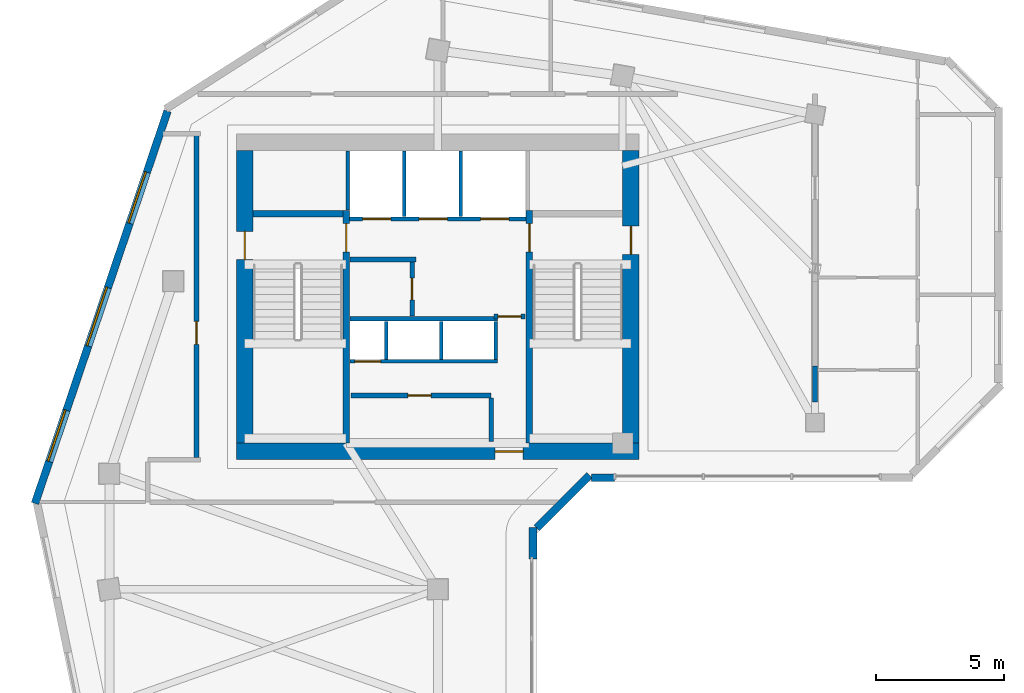
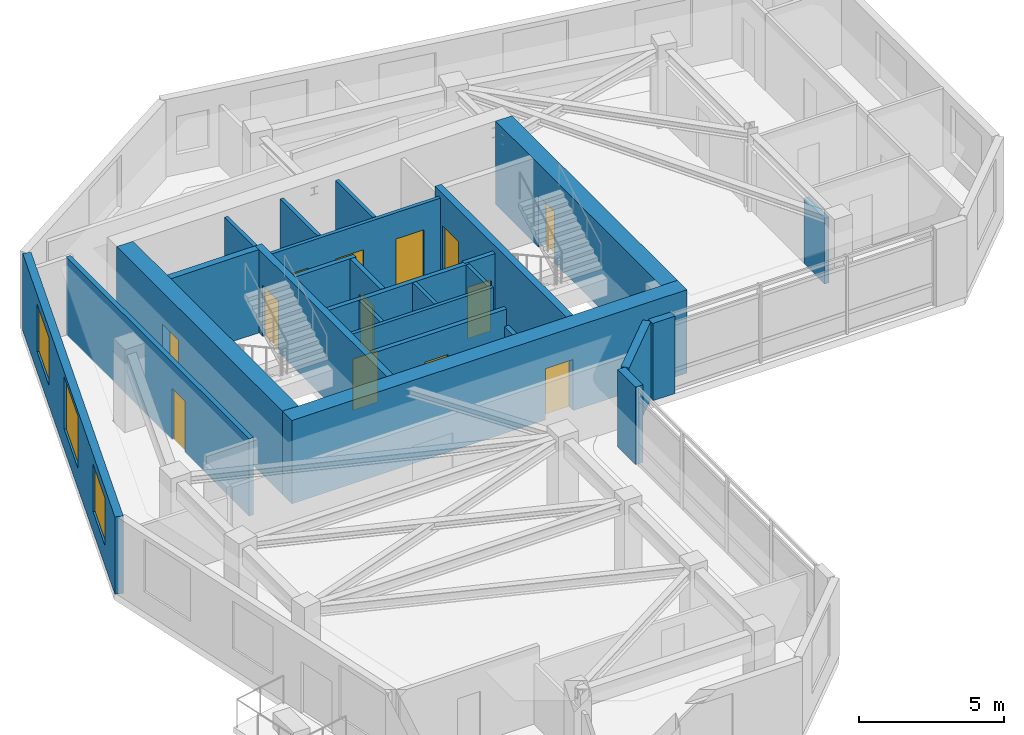
# One storey, part 4 of 9: 26 walls, 13 doors, 3 windows, 16 openings.
"""IFC4 building model written with IfcOpenShell, lengths in metres."""

from ifc_helpers import new_model, si_unit, direction, frame, frame_2d, origin, place, context, subcontext, project, spatial, rectangle, extrude, source, transform, mapped, material, layer, layer_set, type_object, element, fill, save


model = new_model("IFC4")

# Units and contexts
model_context = context("Model", 3, precision=1e-05, world=origin(), true_north=direction((0.0, 1.0)))
body_context = subcontext(model_context, "Body", "Model", "MODEL_VIEW")
ifc_project = project(units=[si_unit("LENGTHUNIT", "METRE"), si_unit("AREAUNIT", "SQUARE_METRE"), si_unit("VOLUMEUNIT", "CUBIC_METRE"), si_unit("PLANEANGLEUNIT", "RADIAN"), si_unit("MASSUNIT", "GRAM", prefix="KILO")], contexts=[model_context])

# Site, building, storey
site_placement = place(None, origin())
site = spatial("IfcSite", under=ifc_project, at=site_placement, CompositionType="ELEMENT")
building_placement = place(site_placement, origin())
building = spatial("IfcBuilding", under=site, at=building_placement, Name="Calvemar Wedge Station Tower", CompositionType="ELEMENT")
storey_placement = place(building_placement, frame((0.0, 0.0, 211.39990234375)))
storey = spatial("IfcBuildingStorey", under=building, at=storey_placement, Name="L53", CompositionType="ELEMENT", Elevation=211.39990234375)

# Wall, opening, door
ifc_material_1 = material(Name="Concrete C50", Category="concrete")
ifc_layer_1 = layer(ifc_material_1, 0.260009765625)
ifc_layer_set_1 = layer_set([ifc_layer_1], Name="Concrete C50")
wall_type_1 = type_object("IfcWallType", Name="SW-CORE-260", PredefinedType="SHEAR", material=ifc_layer_set_1)
wall_1_placement = place(storey_placement, frame((20.22998046875, 34.199951171875, 0.0), z_axis=(0.0, 0.0, 1.0), x_axis=(0.0, 1.0, 0.0)))
wall_1 = element("IfcWall", 1, at=wall_1_placement, inside=storey, type_object=wall_type_1, Name="Storey L53 Core Shear Wall SPINE-W", PredefinedType="SHEAR", context=body_context, shape_type="SweptSolid", body=[
    extrude(rectangle(XDim=9.06005859375, YDim=0.260009765625, at=frame_2d((4.530029296875, 0.0))), origin(), (0.0, 0.0, 1.0), 3.5),
])
shared_shape_1 = source(origin(), body_context, "Body", "SweptSolid", [
    extrude(rectangle(XDim=1.10009765625, YDim=2.14990234375, at=frame_2d((0.550048828125, 1.074951171875))), frame((0.0, 0.14013671875, 0.0), z_axis=(0.0, -1.0, 0.0), x_axis=(1.0, 0.0, 0.0)), (0.0, 0.0, 1.0), 0.280029296875),
])
opening_1_placement = place(wall_1_placement, frame((7.449951171875, 0.0, 0.0)))
opening_1 = element("IfcOpeningElement", 2, at=opening_1_placement, cuts=wall_1, Name="Opening FD-90", PredefinedType="OPENING", context=body_context, shape_type="MappedRepresentation", body=[
    mapped(shared_shape_1, transform((0.0, 0.0, 0.0), scale=1.0)),
])
ifc_material_2 = material(Name="Galvanized fire-rated steel door leaf P-90", Category="steel")
door_type_1 = type_object("IfcDoorType", Name="DR-FD90-1100", OperationType="NOTDEFINED", PredefinedType="DOOR", material=ifc_material_2)
shared_shape_2 = source(origin(), body_context, "Body", "SweptSolid", [
    extrude(rectangle(XDim=1.10009765625, YDim=2.14990234375, at=frame_2d((0.550048828125, 1.074951171875))), frame((0.0, 0.02490234375, 0.0), z_axis=(0.0, -1.0, 0.0), x_axis=(1.0, 0.0, 0.0)), (0.0, 0.0, 1.0), 0.050048828125),
])
door_1_placement = place(opening_1_placement, origin())
door_1 = element("IfcDoor", 3, at=door_1_placement, inside=storey, type_object=door_type_1, Name="L53 FF Lobby to Stair ST-C1 Door", OperationType="SINGLE_SWING_LEFT", OverallHeight=2.14990234375, OverallWidth=1.10009765625, PredefinedType="DOOR", context=body_context, shape_type="MappedRepresentation", body=[
    mapped(shared_shape_2, transform((0.0, 0.0, 0.0), scale=1.0)),
])
fill(opening_1, door_1)

wall_2_placement = place(storey_placement, frame((27.3701171875, 34.199951171875, 0.0), z_axis=(0.0, 0.0, 1.0), x_axis=(0.0, 1.0, 0.0)))
wall_2 = element("IfcWall", 4, at=wall_2_placement, inside=storey, type_object=wall_type_1, Name="Storey L53 Core Shear Wall SPINE-E", PredefinedType="SHEAR", context=body_context, shape_type="SweptSolid", body=[
    extrude(rectangle(XDim=9.06005859375, YDim=0.260009765625, at=frame_2d((4.530029296875, 0.0))), origin(), (0.0, 0.0, 1.0), 3.5),
])
opening_2_placement = place(wall_2_placement, frame((7.449951171875, 0.0, 0.0)))
opening_2 = element("IfcOpeningElement", 5, at=opening_2_placement, cuts=wall_2, Name="Opening FD-90", PredefinedType="OPENING", context=body_context, shape_type="MappedRepresentation", body=[
    mapped(shared_shape_1, transform((0.0, 0.0, 0.0), scale=1.0)),
])
door_2_placement = place(opening_2_placement, origin())
door_2 = element("IfcDoor", 6, at=door_2_placement, inside=storey, type_object=door_type_1, Name="L53 FF Lobby to Stair ST-C2 Door", OperationType="SINGLE_SWING_RIGHT", OverallHeight=2.14990234375, OverallWidth=1.10009765625, PredefinedType="DOOR", context=body_context, shape_type="MappedRepresentation", body=[
    mapped(shared_shape_2, transform((0.0, 0.0, 0.0), scale=1.0)),
])
fill(opening_2, door_2)

# Wall
wall_3_placement = place(storey_placement, frame((16.60009765625, 43.1298828125, 0.0), z_axis=(0.0, 0.0, 1.0), x_axis=(1.0, 0.0, 0.0)))
element("IfcWall", 7, at=wall_3_placement, inside=storey, type_object=wall_type_1, Name="Storey L53 Core Shear Wall STC1-N", PredefinedType="SHEAR", context=body_context, shape_type="SweptSolid", body=[
    extrude(rectangle(XDim=3.5, YDim=0.260009765625, at=frame_2d((1.75, 0.0))), origin(), (0.0, 0.0, 1.0), 3.5),
])

# Wall, opening, door
ifc_material_3 = material(Name="Concrete C60", Category="concrete")
ifc_layer_2 = layer(ifc_material_3, 0.64990234375)
ifc_layer_set_2 = layer_set([ifc_layer_2], Name="Concrete C60")
wall_type_2 = type_object("IfcWallType", Name="SW-CORE-650", PredefinedType="SHEAR", material=ifc_layer_set_2)
wall_4_placement = place(storey_placement, frame((15.949951171875, 33.875, 0.0), z_axis=(0.0, 0.0, 1.0), x_axis=(1.0, 0.0, 0.0)))
wall_4 = element("IfcWall", 8, at=wall_4_placement, inside=storey, type_object=wall_type_2, Name="Storey L53 Core Shear Wall S", PredefinedType="SHEAR", context=body_context, shape_type="SweptSolid", body=[
    extrude(rectangle(XDim=15.699951171875, YDim=0.64990234375, at=frame_2d((7.85009765625, 0.0))), origin(), (0.0, 0.0, 1.0), 3.5),
])
shared_shape_3 = source(origin(), body_context, "Body", "SweptSolid", [
    extrude(rectangle(XDim=1.10009765625, YDim=2.14990234375, at=frame_2d((0.550048828125, 1.074951171875))), frame((0.0, 0.3349609375, 0.0), z_axis=(0.0, -1.0, 0.0), x_axis=(1.0, 0.0, 0.0)), (0.0, 0.0, 1.0), 0.669921875),
])
opening_3_placement = place(wall_4_placement, frame((10.080078125, 0.0, 0.0)))
opening_3 = element("IfcOpeningElement", 9, at=opening_3_placement, cuts=wall_4, Name="Opening FD-90", PredefinedType="OPENING", context=body_context, shape_type="MappedRepresentation", body=[
    mapped(shared_shape_3, transform((0.0, 0.0, 0.0), scale=1.0)),
])
door_3_placement = place(opening_3_placement, origin())
door_3 = element("IfcDoor", 10, at=door_3_placement, inside=storey, type_object=door_type_1, Name="L53 Passenger Lift Lobby Door", OperationType="SINGLE_SWING_LEFT", OverallHeight=2.14990234375, OverallWidth=1.10009765625, PredefinedType="DOOR", context=body_context, shape_type="MappedRepresentation", body=[
    mapped(shared_shape_2, transform((0.0, 0.0, 0.0), scale=1.0)),
])
fill(opening_3, door_3)

wall_5_placement = place(storey_placement, frame((16.27490234375, 34.199951171875, 0.0), z_axis=(0.0, 0.0, 1.0), x_axis=(0.0, 1.0, 0.0)))
wall_5 = element("IfcWall", 11, at=wall_5_placement, inside=storey, type_object=wall_type_2, Name="Storey L53 Core Shear Wall W", PredefinedType="SHEAR", context=body_context, shape_type="SweptSolid", body=[
    extrude(rectangle(XDim=11.400146484375, YDim=0.64990234375, at=frame_2d((5.7001953125, 0.0))), origin(), (0.0, 0.0, 1.0), 3.5),
])
opening_4_placement = place(wall_5_placement, frame((7.14990234375, 0.0, 0.0)))
opening_4 = element("IfcOpeningElement", 12, at=opening_4_placement, cuts=wall_5, Name="Opening FD-90", PredefinedType="OPENING", context=body_context, shape_type="MappedRepresentation", body=[
    mapped(shared_shape_3, transform((0.0, 0.0, 0.0), scale=1.0)),
])
door_4_placement = place(opening_4_placement, origin())
door_4 = element("IfcDoor", 13, at=door_4_placement, inside=storey, type_object=door_type_1, Name="L53 West Corridor to Exit Stair ST-C1 Door", OperationType="SINGLE_SWING_LEFT", OverallHeight=2.14990234375, OverallWidth=1.10009765625, PredefinedType="DOOR", context=body_context, shape_type="MappedRepresentation", body=[
    mapped(shared_shape_2, transform((0.0, 0.0, 0.0), scale=1.0)),
])
fill(opening_4, door_4)

wall_6_placement = place(storey_placement, frame((31.324951171875, 34.199951171875, 0.0), z_axis=(0.0, 0.0, 1.0), x_axis=(0.0, 1.0, 0.0)))
wall_6 = element("IfcWall", 14, at=wall_6_placement, inside=storey, type_object=wall_type_2, Name="Storey L53 Core Shear Wall E", PredefinedType="SHEAR", context=body_context, shape_type="SweptSolid", body=[
    extrude(rectangle(XDim=11.400146484375, YDim=0.64990234375, at=frame_2d((5.7001953125, 0.0))), origin(), (0.0, 0.0, 1.0), 3.5),
])
opening_5_placement = place(wall_6_placement, frame((7.35009765625, 0.0, 0.0)))
opening_5 = element("IfcOpeningElement", 15, at=opening_5_placement, cuts=wall_6, Name="Opening FD-90", PredefinedType="OPENING", context=body_context, shape_type="MappedRepresentation", body=[
    mapped(shared_shape_3, transform((0.0, 0.0, 0.0), scale=1.0)),
])
door_5_placement = place(opening_5_placement, origin())
door_5 = element("IfcDoor", 16, at=door_5_placement, inside=storey, type_object=door_type_1, Name="L53 East Corridor to Exit Stair ST-C2 Door", OperationType="SINGLE_SWING_RIGHT", OverallHeight=2.14990234375, OverallWidth=1.10009765625, PredefinedType="DOOR", context=body_context, shape_type="MappedRepresentation", body=[
    mapped(shared_shape_2, transform((0.0, 0.0, 0.0), scale=1.0)),
])
fill(opening_5, door_5)

# Wall
ifc_material_4 = material(Name="Double-stud fire-rated corridor partition")
ifc_layer_3 = layer(ifc_material_4, 0.179931640625)
ifc_layer_set_3 = layer_set([ifc_layer_3], Name="Double-stud fire-rated corridor partition")
wall_type_3 = type_object("IfcWallType", Name="W-CORR-180", PredefinedType="PARTITIONING", material=ifc_layer_set_3)
wall_7_placement = place(storey_placement, frame((22.9599609375, 41.35009765625, 0.0), z_axis=(0.0, 0.0, 1.0), x_axis=(-1.0, 0.0, 0.0)))
element("IfcWall", 17, at=wall_7_placement, inside=storey, type_object=wall_type_3, Name="Storey L53 Interior Partition WL-L53-001", PredefinedType="PARTITIONING", context=body_context, shape_type="SweptSolid", body=[
    extrude(rectangle(XDim=2.580078125, YDim=0.179931640625, at=frame_2d((1.2900390625, 0.0))), origin(), (0.0, 0.0, 1.0), 3.25),
])

# Wall, opening, door
wall_8_placement = place(storey_placement, frame((22.800048828125, 41.256103515625, 0.0), z_axis=(0.0, 0.0, 1.0), x_axis=(0.0, -1.0, 0.0)))
wall_8 = element("IfcWall", 18, at=wall_8_placement, inside=storey, type_object=wall_type_3, Name="Storey L53 Interior Partition WL-L53-002", PredefinedType="PARTITIONING", context=body_context, shape_type="SweptSolid", body=[
    extrude(rectangle(XDim=2.106201171875, YDim=0.179931640625, at=frame_2d((1.05322265625, 0.0))), origin(), (0.0, 0.0, 1.0), 3.25),
])
shared_shape_4 = source(origin(), body_context, "Body", "SweptSolid", [
    extrude(rectangle(XDim=0.85009765625, YDim=2.14990234375, at=frame_2d((0.425048828125, 1.074951171875))), frame((0.0, 0.10009765625, 0.0), z_axis=(0.0, -1.0, 0.0), x_axis=(1.0, 0.0, 0.0)), (0.0, 0.0, 1.0), 0.199951171875),
])
opening_6_placement = place(wall_8_placement, frame((0.6279296875, 0.0, 0.0)))
opening_6 = element("IfcOpeningElement", 19, at=opening_6_placement, cuts=wall_8, Name="Opening FD-60S", PredefinedType="OPENING", context=body_context, shape_type="MappedRepresentation", body=[
    mapped(shared_shape_4, transform((0.0, 0.0, 0.0), scale=1.0)),
])
ifc_material_5 = material(Name="Fire-rated steel and hardwood service door EI 60", Category="steel")
door_type_2 = type_object("IfcDoorType", Name="DR-CORE-FD60-850", OperationType="NOTDEFINED", PredefinedType="DOOR", material=ifc_material_5)
shared_shape_5 = source(origin(), body_context, "Body", "SweptSolid", [
    extrude(rectangle(XDim=0.85009765625, YDim=2.14990234375, at=frame_2d((0.425048828125, 1.074951171875))), frame((0.0, 0.02490234375, 0.0), z_axis=(0.0, -1.0, 0.0), x_axis=(1.0, 0.0, 0.0)), (0.0, 0.0, 1.0), 0.050048828125),
])
door_6_placement = place(opening_6_placement, origin())
door_6 = element("IfcDoor", 20, at=door_6_placement, inside=storey, type_object=door_type_2, Name="L53 Core Electrical Switch Room Door", OperationType="SINGLE_SWING_RIGHT", OverallHeight=2.14990234375, OverallWidth=0.85009765625, PredefinedType="DOOR", context=body_context, shape_type="MappedRepresentation", body=[
    mapped(shared_shape_5, transform((0.0, 0.0, 0.0), scale=1.0)),
])
fill(opening_6, door_6)

wall_9_placement = place(storey_placement, frame((27.199951171875, 39.1298828125, 0.0), z_axis=(0.0, 0.0, 1.0), x_axis=(-1.0, 0.0, 0.0)))
wall_9 = element("IfcWall", 21, at=wall_9_placement, inside=storey, type_object=wall_type_3, Name="Storey L53 Interior Partition WL-L53-003", PredefinedType="PARTITIONING", context=body_context, shape_type="SweptSolid", body=[
    extrude(rectangle(XDim=1.2099609375, YDim=0.179931640625, at=frame_2d((0.60498046875, 0.0))), origin(), (0.0, 0.0, 1.0), 3.25),
])
shared_shape_6 = source(origin(), body_context, "Body", "SweptSolid", [
    extrude(rectangle(XDim=0.89990234375, YDim=2.14990234375, at=frame_2d((0.449951171875, 1.074951171875))), frame((0.0, 0.10009765625, 0.0), z_axis=(0.0, -1.0, 0.0), x_axis=(1.0, 0.0, 0.0)), (0.0, 0.0, 1.0), 0.199951171875),
])
opening_7_placement = place(wall_9_placement, frame((0.155029296875, 0.0, 0.0)))
opening_7 = element("IfcOpeningElement", 22, at=opening_7_placement, cuts=wall_9, Name="Opening FD-60", PredefinedType="OPENING", context=body_context, shape_type="MappedRepresentation", body=[
    mapped(shared_shape_6, transform((0.0, 0.0, 0.0), scale=1.0)),
])
ifc_material_6 = material(Name="Fire-rated acoustic timber-core entrance door EI 60", Category="wood")
door_type_3 = type_object("IfcDoorType", Name="DR-FD60-900", OperationType="NOTDEFINED", PredefinedType="DOOR", material=ifc_material_6)
shared_shape_7 = source(origin(), body_context, "Body", "SweptSolid", [
    extrude(rectangle(XDim=0.89990234375, YDim=2.14990234375, at=frame_2d((0.449951171875, 1.074951171875))), frame((0.0, 0.02490234375, 0.0), z_axis=(0.0, -1.0, 0.0), x_axis=(1.0, 0.0, 0.0)), (0.0, 0.0, 1.0), 0.050048828125),
])
door_7_placement = place(opening_7_placement, origin())
door_7 = element("IfcDoor", 23, at=door_7_placement, inside=storey, type_object=door_type_3, Name="L53 Core Service Lobby Door", OperationType="SINGLE_SWING_LEFT", OverallHeight=2.14990234375, OverallWidth=0.89990234375, PredefinedType="DOOR", context=body_context, shape_type="MappedRepresentation", body=[
    mapped(shared_shape_7, transform((0.0, 0.0, 0.0), scale=1.0)),
])
fill(opening_7, door_7)

wall_10_placement = place(storey_placement, frame((20.419921875, 36.050048828125, 0.0), z_axis=(0.0, 0.0, 1.0), x_axis=(1.0, 0.0, 0.0)))
wall_10 = element("IfcWall", 24, at=wall_10_placement, inside=storey, type_object=wall_type_3, Name="Storey L53 Interior Partition WL-L53-004", PredefinedType="PARTITIONING", context=body_context, shape_type="SweptSolid", body=[
    extrude(rectangle(XDim=5.4599609375, YDim=0.179931640625, at=frame_2d((2.72998046875, 0.0))), origin(), (0.0, 0.0, 1.0), 3.25),
])
opening_8_placement = place(wall_10_placement, frame((2.219482421875, 0.0, 0.0)))
opening_8 = element("IfcOpeningElement", 25, at=opening_8_placement, cuts=wall_10, Name="Opening FD-60", PredefinedType="OPENING", context=body_context, shape_type="MappedRepresentation", body=[
    mapped(shared_shape_6, transform((0.0, 0.0, 0.0), scale=1.0)),
])
door_8_placement = place(opening_8_placement, origin())
door_8 = element("IfcDoor", 26, at=door_8_placement, inside=storey, type_object=door_type_3, Name="L53 Parcel and Resident Store Door", OperationType="SINGLE_SWING_RIGHT", OverallHeight=2.14990234375, OverallWidth=0.89990234375, PredefinedType="DOOR", context=body_context, shape_type="MappedRepresentation", body=[
    mapped(shared_shape_7, transform((0.0, 0.0, 0.0), scale=1.0)),
])
fill(opening_8, door_8)

# Wall
wall_11_placement = place(storey_placement, frame((25.8798828125, 35.9560546875, 0.0), z_axis=(0.0, 0.0, 1.0), x_axis=(0.0, -1.0, 0.0)))
element("IfcWall", 27, at=wall_11_placement, inside=storey, type_object=wall_type_3, Name="Storey L53 Interior Partition WL-L53-005", PredefinedType="PARTITIONING", context=body_context, shape_type="SweptSolid", body=[
    extrude(rectangle(XDim=1.7060546875, YDim=0.179931640625, at=frame_2d((0.85302734375, 0.0))), origin(), (0.0, 0.0, 1.0), 2.5419921875),
])

# Wall, opening, door
wall_12_placement = place(storey_placement, frame((14.39990234375, 33.64404296875, 0.0), z_axis=(0.0, 0.0, 1.0), x_axis=(0.0, 1.0, 0.0)))
wall_12 = element("IfcWall", 28, at=wall_12_placement, inside=storey, type_object=wall_type_3, Name="Storey L53 Interior Partition WL-L53-009", PredefinedType="PARTITIONING", context=body_context, shape_type="SweptSolid", body=[
    extrude(rectangle(XDim=12.60595703125, YDim=0.179931640625, at=frame_2d((6.302978515625, 0.0))), origin(), (0.0, 0.0, 1.0), 3.25),
])
opening_9_placement = place(wall_12_placement, frame((4.399169921875, 0.0, 0.0)))
opening_9 = element("IfcOpeningElement", 29, at=opening_9_placement, cuts=wall_12, Name="Opening D-01", PredefinedType="OPENING", context=body_context, shape_type="MappedRepresentation", body=[
    mapped(shared_shape_6, transform((0.0, 0.0, 0.0), scale=1.0)),
])
ifc_material_7 = material(Name="Architectural hardwood acoustic swing door", Category="wood")
door_type_4 = type_object("IfcDoorType", Name="DR-INT-900", OperationType="NOTDEFINED", PredefinedType="DOOR", material=ifc_material_7)
shared_shape_8 = source(origin(), body_context, "Body", "SweptSolid", [
    extrude(rectangle(XDim=0.89990234375, YDim=2.14990234375, at=frame_2d((0.449951171875, 1.074951171875))), frame((0.0, 0.02490234375, 0.0), z_axis=(0.0, -1.0, 0.0), x_axis=(1.0, 0.0, 0.0)), (0.0, 0.0, 1.0), 0.050048828125),
])
door_9_placement = place(opening_9_placement, origin())
door_9 = element("IfcDoor", 30, at=door_9_placement, inside=storey, type_object=door_type_4, Name="L53 Resident Reading Lounge Door", OperationType="SINGLE_SWING_LEFT", OverallHeight=2.14990234375, OverallWidth=0.89990234375, PredefinedType="DOOR", context=body_context, shape_type="MappedRepresentation", body=[
    mapped(shared_shape_8, transform((0.0, 0.0, 0.0), scale=1.0)),
])
fill(opening_9, door_9)

# Walls
wall_13_placement = place(storey_placement, frame((38.5, 37.208984375, 0.0), z_axis=(0.0, 0.0, 1.0), x_axis=(0.0, -1.0, 0.0)))
element("IfcWall", 31, at=wall_13_placement, inside=storey, type_object=wall_type_3, Name="Storey L53 Interior Partition WL-L53-017", PredefinedType="PARTITIONING", context=body_context, shape_type="SweptSolid", body=[
    extrude(rectangle(XDim=1.408935546875, YDim=0.179931640625, at=frame_2d((0.70458984375, 0.0))), origin(), (0.0, 0.0, 1.0), 2.76611328125),
])
ifc_material_8 = material(Name="Precast concrete C45", Category="concrete")
ifc_layer_4 = layer(ifc_material_8, 0.300048828125)
ifc_layer_set_4 = layer_set([ifc_layer_4], Name="Precast concrete C45")
wall_type_4 = type_object("IfcWallType", Name="W-EXT-GFRC-300", PredefinedType="SOLIDWALL", material=ifc_layer_set_4)
wall_14_placement = place(storey_placement, frame((27.513916015625, 29.676513671875, 0.0), z_axis=(0.0, 0.0, 1.0), x_axis=(0.0, 1.0, 0.0)))
element("IfcWall", 32, at=wall_14_placement, inside=storey, type_object=wall_type_4, Name="Storey L53 Bronze GFRC Corner Pier 4B", PredefinedType="SOLIDWALL", context=body_context, shape_type="SweptSolid", body=[
    extrude(rectangle(XDim=1.2275390625, YDim=0.300048828125, at=frame_2d((0.61376953125, 0.0))), origin(), (0.0, 0.0, 1.0), 3.25),
])
wall_15_placement = place(storey_placement, frame((27.652099609375, 30.89208984375, 0.0), z_axis=(0.0, 0.0, 1.0), x_axis=(0.707106781187, 0.707106781187, 0.0)))
element("IfcWall", 33, at=wall_15_placement, inside=storey, type_object=wall_type_4, Name="Storey L53 Bronze GFRC Exterior Wall 5", PredefinedType="SOLIDWALL", context=body_context, shape_type="SweptSolid", body=[
    extrude(rectangle(XDim=2.907470703125, YDim=0.300048828125, at=frame_2d((1.45361328125, 0.0))), origin(), (0.0, 0.0, 1.0), 3.25),
])
wall_16_placement = place(storey_placement, frame((29.797119140625, 32.842041015625, 0.0), z_axis=(0.0, 0.0, 1.0), x_axis=(1.0, 0.0, 0.0)))
element("IfcWall", 34, at=wall_16_placement, inside=storey, type_object=wall_type_4, Name="Storey L53 Bronze GFRC Corner Pier 6A", PredefinedType="SOLIDWALL", context=body_context, shape_type="SweptSolid", body=[
    extrude(rectangle(XDim=0.88232421875, YDim=0.300048828125, at=frame_2d((0.441162109375, 0.0))), origin(), (0.0, 0.0, 1.0), 3.25),
])

# Wall, openings, windows
wall_17_placement = place(storey_placement, frame((13.2685546875, 47.1337890625, 0.0), z_axis=(0.0, 0.0, 1.0), x_axis=(-0.319920776449, -0.947444297464, 0.0)))
wall_17 = element("IfcWall", 35, at=wall_17_placement, inside=storey, type_object=wall_type_4, Name="Storey L53 Bronze GFRC Exterior Wall 12", PredefinedType="SOLIDWALL", context=body_context, shape_type="SweptSolid", body=[
    extrude(rectangle(XDim=16.13330078125, YDim=0.300048828125, at=frame_2d((8.066650390625, 0.0))), origin(), (0.0, 0.0, 1.0), 3.25),
])
shared_shape_9 = source(origin(), body_context, "Body", "SweptSolid", [
    extrude(rectangle(XDim=2.10009765625, YDim=2.0, at=frame_2d((1.050048828125, 1.0))), frame((0.0, 0.16015625, 0.0), z_axis=(0.0, -1.0, 0.0), x_axis=(1.0, 0.0, 0.0)), (0.0, 0.0, 1.0), 0.320068359375),
])
opening_10_placement = place(wall_17_placement, frame((2.512939453125, 0.0, 0.85009765625)))
opening_10 = element("IfcOpeningElement", 36, at=opening_10_placement, cuts=wall_17, Name="Opening W4", PredefinedType="OPENING", context=body_context, shape_type="MappedRepresentation", body=[
    mapped(shared_shape_9, transform((0.0, 0.0, 0.0), scale=1.0)),
])
shared_shape_10 = source(origin(), body_context, "Body", "SweptSolid", [
    extrude(rectangle(XDim=2.39990234375, YDim=2.199951171875, at=frame_2d((1.199951171875, 1.10009765625))), frame((0.0, 0.16015625, 0.0), z_axis=(0.0, -1.0, 0.0), x_axis=(1.0, 0.0, 0.0)), (0.0, 0.0, 1.0), 0.320068359375),
])
opening_11_placement = place(wall_17_placement, frame((7.260009765625, 0.0, 0.85009765625)))
opening_11 = element("IfcOpeningElement", 37, at=opening_11_placement, cuts=wall_17, Name="Opening W1", PredefinedType="OPENING", context=body_context, shape_type="MappedRepresentation", body=[
    mapped(shared_shape_10, transform((0.0, 0.0, 0.0), scale=1.0)),
])
opening_12_placement = place(wall_17_placement, frame((12.306884765625, 0.0, 0.85009765625)))
opening_12 = element("IfcOpeningElement", 38, at=opening_12_placement, cuts=wall_17, Name="Opening W4", PredefinedType="OPENING", context=body_context, shape_type="MappedRepresentation", body=[
    mapped(shared_shape_9, transform((0.0, 0.0, 0.0), scale=1.0)),
])
ifc_material_9 = material(Name="Low-E laminated insulated glass", Category="glass")
window_type_1 = type_object("IfcWindowType", Name="WIN-EXT-4", PartitioningType="SINGLE_PANEL", PredefinedType="WINDOW", material=ifc_material_9)
shared_shape_11 = source(origin(), body_context, "Body", "SweptSolid", [
    extrude(rectangle(XDim=2.10009765625, YDim=2.0, at=frame_2d((1.050048828125, 1.0))), frame((0.0, -0.014892578125, 0.0), z_axis=(0.0, -1.0, 0.0), x_axis=(1.0, 0.0, 0.0)), (0.0, 0.0, 1.0), 0.06005859375),
])
window_1_placement = place(opening_10_placement, origin())
window_1 = element("IfcWindow", 39, at=window_1_placement, inside=storey, type_object=window_type_1, Name="Storey L53 Recessed Window 12.1", OverallHeight=2.0, OverallWidth=2.10009765625, PartitioningType="SINGLE_PANEL", PredefinedType="WINDOW", context=body_context, shape_type="MappedRepresentation", body=[
    mapped(shared_shape_11, transform((0.0, 0.0, 0.0), scale=1.0)),
])
fill(opening_10, window_1)
window_2_placement = place(opening_12_placement, origin())
window_2 = element("IfcWindow", 40, at=window_2_placement, inside=storey, type_object=window_type_1, Name="Storey L53 Recessed Window 12.3", OverallHeight=2.0, OverallWidth=2.10009765625, PartitioningType="SINGLE_PANEL", PredefinedType="WINDOW", context=body_context, shape_type="MappedRepresentation", body=[
    mapped(shared_shape_11, transform((0.0, 0.0, 0.0), scale=1.0)),
])
fill(opening_12, window_2)
window_type_2 = type_object("IfcWindowType", Name="WIN-EXT-1", PartitioningType="SINGLE_PANEL", PredefinedType="WINDOW", material=ifc_material_9)
shared_shape_12 = source(origin(), body_context, "Body", "SweptSolid", [
    extrude(rectangle(XDim=2.39990234375, YDim=2.199951171875, at=frame_2d((1.199951171875, 1.10009765625))), frame((0.0, -0.014892578125, 0.0), z_axis=(0.0, -1.0, 0.0), x_axis=(1.0, 0.0, 0.0)), (0.0, 0.0, 1.0), 0.06005859375),
])
window_3_placement = place(opening_11_placement, origin())
window_3 = element("IfcWindow", 41, at=window_3_placement, inside=storey, type_object=window_type_2, Name="Storey L53 Recessed Window 12.2", OverallHeight=2.199951171875, OverallWidth=2.39990234375, PartitioningType="SINGLE_PANEL", PredefinedType="WINDOW", context=body_context, shape_type="MappedRepresentation", body=[
    mapped(shared_shape_12, transform((0.0, 0.0, 0.0), scale=1.0)),
])
fill(opening_11, window_3)

# Wall, openings, doors
ifc_material_10 = material(Name="Reinforced concrete blockwork lift shaft wall", Category="masonry")
ifc_layer_5 = layer(ifc_material_10, 0.139892578125)
ifc_layer_set_5 = layer_set([ifc_layer_5], Name="Reinforced concrete blockwork lift shaft wall")
wall_type_5 = type_object("IfcWallType", Name="W-LIFT-160", PredefinedType="SOLIDWALL", material=ifc_layer_set_5)
wall_18_placement = place(storey_placement, frame((20.3701171875, 42.929931640625, 0.0), z_axis=(0.0, 0.0, 1.0), x_axis=(1.0, 0.0, 0.0)))
wall_18 = element("IfcWall", 42, at=wall_18_placement, inside=storey, type_object=wall_type_5, Name="Storey L53 Firefighting and Service Lift Shaft Front Wall", PredefinedType="SOLIDWALL", context=body_context, shape_type="SweptSolid", body=[
    extrude(rectangle(XDim=6.85986328125, YDim=0.139892578125, at=frame_2d((3.429931640625, 0.0))), origin(), (0.0, 0.0, 1.0), 3.25),
])
shared_shape_13 = source(origin(), body_context, "Body", "SweptSolid", [
    extrude(rectangle(XDim=1.10009765625, YDim=2.14990234375, at=frame_2d((0.550048828125, 1.074951171875))), frame((0.0, 0.080078125, 0.0), z_axis=(0.0, -1.0, 0.0), x_axis=(1.0, 0.0, 0.0)), (0.0, 0.0, 1.0), 0.159912109375),
])
opening_13_placement = place(wall_18_placement, frame((0.5, 0.0, 0.0)))
opening_13 = element("IfcOpeningElement", 43, at=opening_13_placement, cuts=wall_18, Name="Opening LD-FF", PredefinedType="OPENING", context=body_context, shape_type="MappedRepresentation", body=[
    mapped(shared_shape_13, transform((0.0, 0.0, 0.0), scale=1.0)),
])
opening_14_placement = place(wall_18_placement, frame((2.699951171875, 0.0, 0.0)))
opening_14 = element("IfcOpeningElement", 44, at=opening_14_placement, cuts=wall_18, Name="Opening LD-FF", PredefinedType="OPENING", context=body_context, shape_type="MappedRepresentation", body=[
    mapped(shared_shape_13, transform((0.0, 0.0, 0.0), scale=1.0)),
])
opening_15_placement = place(wall_18_placement, frame((5.10009765625, 0.0, 0.0)))
opening_15 = element("IfcOpeningElement", 45, at=opening_15_placement, cuts=wall_18, Name="Opening LD-STN", PredefinedType="OPENING", context=body_context, shape_type="MappedRepresentation", body=[
    mapped(shared_shape_13, transform((0.0, 0.0, 0.0), scale=1.0)),
])
ifc_material_11 = material(Name="Stainless steel firefighting lift sliding landing door", Category="steel")
door_type_5 = type_object("IfcDoorType", Name="DR-LD-FF-1100", OperationType="SLIDING_TO_LEFT", PredefinedType="DOOR", material=ifc_material_11)
shared_shape_14 = source(origin(), body_context, "Body", "SweptSolid", [
    extrude(rectangle(XDim=1.10009765625, YDim=2.14990234375, at=frame_2d((0.550048828125, 1.074951171875))), frame((0.0, 0.02490234375, 0.0), z_axis=(0.0, -1.0, 0.0), x_axis=(1.0, 0.0, 0.0)), (0.0, 0.0, 1.0), 0.050048828125),
])
door_10_placement = place(opening_13_placement, origin())
door_10 = element("IfcDoor", 46, at=door_10_placement, inside=storey, type_object=door_type_5, Name="L53 Lift FF-01 Sliding Landing Door", OperationType="SLIDING_TO_LEFT", OverallHeight=2.14990234375, OverallWidth=1.10009765625, PredefinedType="DOOR", context=body_context, shape_type="MappedRepresentation", body=[
    mapped(shared_shape_14, transform((0.0, 0.0, 0.0), scale=1.0)),
])
fill(opening_13, door_10)
door_11_placement = place(opening_14_placement, origin())
door_11 = element("IfcDoor", 47, at=door_11_placement, inside=storey, type_object=door_type_5, Name="L53 Lift FF-02 Sliding Landing Door", OperationType="SLIDING_TO_RIGHT", OverallHeight=2.14990234375, OverallWidth=1.10009765625, PredefinedType="DOOR", context=body_context, shape_type="MappedRepresentation", body=[
    mapped(shared_shape_14, transform((0.0, 0.0, 0.0), scale=1.0)),
])
fill(opening_14, door_11)
ifc_material_12 = material(Name="Stainless steel transit lift sliding landing door", Category="steel")
door_type_6 = type_object("IfcDoorType", Name="DR-LD-PAX-1100", OperationType="SLIDING_TO_LEFT", PredefinedType="DOOR", material=ifc_material_12)
shared_shape_15 = source(origin(), body_context, "Body", "SweptSolid", [
    extrude(rectangle(XDim=1.10009765625, YDim=2.14990234375, at=frame_2d((0.550048828125, 1.074951171875))), frame((0.0, 0.02490234375, 0.0), z_axis=(0.0, -1.0, 0.0), x_axis=(1.0, 0.0, 0.0)), (0.0, 0.0, 1.0), 0.050048828125),
])
door_12_placement = place(opening_15_placement, origin())
door_12 = element("IfcDoor", 48, at=door_12_placement, inside=storey, type_object=door_type_6, Name="L53 Lift SV-01 Sliding Landing Door", OperationType="SLIDING_TO_LEFT", OverallHeight=2.14990234375, OverallWidth=1.10009765625, PredefinedType="DOOR", context=body_context, shape_type="MappedRepresentation", body=[
    mapped(shared_shape_15, transform((0.0, 0.0, 0.0), scale=1.0)),
])
fill(opening_15, door_12)

# Walls
wall_19_placement = place(storey_placement, frame((20.2900390625, 43.280029296875, 0.0), z_axis=(0.0, 0.0, 1.0), x_axis=(0.0, 1.0, 0.0)))
element("IfcWall", 49, at=wall_19_placement, inside=storey, type_object=wall_type_5, Name="Storey L53 Firefighting Lift Shaft Enclosure Wall W", PredefinedType="SOLIDWALL", context=body_context, shape_type="SweptSolid", body=[
    extrude(rectangle(XDim=2.300048828125, YDim=0.139892578125, at=frame_2d((1.14990234375, 0.0))), origin(), (0.0, 0.0, 1.0), 3.25),
])
for number, where, z_axis, x_axis, name in (
    (50, (22.5, 43.02001953125, 0.0), (0.0, 0.0, 1.0), (0.0, 1.0, 0.0), "Storey L53 Firefighting Lift Shaft Enclosure Wall D1"),
    (51, (24.699951171875, 43.02001953125, 0.0), (0.0, 0.0, 1.0), (0.0, 1.0, 0.0), "Storey L53 Firefighting Lift Shaft Enclosure Wall D2"),
):
    element("IfcWall", number, at=place(storey_placement, frame(where, z_axis=z_axis, x_axis=x_axis)), inside=storey, type_object=wall_type_5, Name=name, PredefinedType="SOLIDWALL", context=body_context, shape_type="SweptSolid", body=[
        extrude(rectangle(XDim=2.56005859375, YDim=0.139892578125, at=frame_2d((1.280029296875, 0.0))), origin(), (0.0, 0.0, 1.0), 3.25),
    ])

# Wall, opening, door
wall_20_placement = place(storey_placement, frame((20.3798828125, 37.3798828125, 0.0), z_axis=(0.0, 0.0, 1.0), x_axis=(1.0, 0.0, 0.0)))
wall_20 = element("IfcWall", 52, at=wall_20_placement, inside=storey, type_object=wall_type_5, Name="Storey L53 Upper Passenger Lift Bank Front Wall", PredefinedType="SOLIDWALL", context=body_context, shape_type="SweptSolid", body=[
    extrude(rectangle(XDim=5.75, YDim=0.139892578125, at=frame_2d((2.875, 0.0))), origin(), (0.0, 0.0, 1.0), 3.25),
])
shared_shape_16 = source(origin(), body_context, "Body", "SweptSolid", [
    extrude(rectangle(XDim=1.0, YDim=2.14990234375, at=frame_2d((0.5, 1.074951171875))), frame((0.0, 0.080078125, 0.0), z_axis=(0.0, -1.0, 0.0), x_axis=(1.0, 0.0, 0.0)), (0.0, 0.0, 1.0), 0.159912109375),
])
opening_16_placement = place(wall_20_placement, frame((0.18994140625, 0.0, 0.0)))
opening_16 = element("IfcOpeningElement", 53, at=opening_16_placement, cuts=wall_20, Name="Opening LD-PAX", PredefinedType="OPENING", context=body_context, shape_type="MappedRepresentation", body=[
    mapped(shared_shape_16, transform((0.0, 0.0, 0.0), scale=1.0)),
])
ifc_material_13 = material(Name="Anodised bronze passenger lift sliding landing door")
door_type_7 = type_object("IfcDoorType", Name="DR-LD-PAX-1000", OperationType="SLIDING_TO_LEFT", PredefinedType="DOOR", material=ifc_material_13)
shared_shape_17 = source(origin(), body_context, "Body", "SweptSolid", [
    extrude(rectangle(XDim=1.0, YDim=2.14990234375, at=frame_2d((0.5, 1.074951171875))), frame((0.0, 0.02490234375, 0.0), z_axis=(0.0, -1.0, 0.0), x_axis=(1.0, 0.0, 0.0)), (0.0, 0.0, 1.0), 0.050048828125),
])
door_13_placement = place(opening_16_placement, origin())
door_13 = element("IfcDoor", 54, at=door_13_placement, inside=storey, type_object=door_type_7, Name="L53 Lift RH-01 Sliding Landing Door", OperationType="SLIDING_TO_LEFT", OverallHeight=2.14990234375, OverallWidth=1.0, PredefinedType="DOOR", context=body_context, shape_type="MappedRepresentation", body=[
    mapped(shared_shape_17, transform((0.0, 0.0, 0.0), scale=1.0)),
])
fill(opening_16, door_13)

# Walls
for number, where, z_axis, x_axis, name in (
    (55, (26.06005859375, 37.4599609375, 0.0), (0.0, 0.0, 1.0), (0.0, 1.0, 0.0), "Storey L53 Upper Passenger Lift Shaft Wall E"),
    (56, (21.794921875, 37.4599609375, 0.0), (0.0, 0.0, 1.0), (0.0, 1.0, 0.0), "Storey L53 Upper Passenger Lift Shaft Wall D1"),
    (57, (23.93505859375, 37.4599609375, 0.0), (0.0, 0.0, 1.0), (0.0, 1.0, 0.0), "Storey L53 Upper Passenger Lift Shaft Wall D2"),
):
    element("IfcWall", number, at=place(storey_placement, frame(where, z_axis=z_axis, x_axis=x_axis)), inside=storey, type_object=wall_type_5, Name=name, PredefinedType="SOLIDWALL", context=body_context, shape_type="SweptSolid", body=[
        extrude(rectangle(XDim=1.47998046875, YDim=0.139892578125, at=frame_2d((0.739990234375, 0.0))), origin(), (0.0, 0.0, 1.0), 3.25),
    ])
ifc_material_14 = material(Name="Concrete blockwork and fireboard shaft wall", Category="masonry")
ifc_layer_6 = layer(ifc_material_14, 0.199951171875)
ifc_layer_set_6 = layer_set([ifc_layer_6], Name="Concrete blockwork and fireboard shaft wall")
wall_type_6 = type_object("IfcWallType", Name="W-SHAFT-200", PredefinedType="SOLIDWALL", material=ifc_layer_set_6)
wall_21_placement = place(storey_placement, frame((20.3798828125, 39.0400390625, 0.0), z_axis=(0.0, 0.0, 1.0), x_axis=(1.0, 0.0, 0.0)))
element("IfcWall", 58, at=wall_21_placement, inside=storey, type_object=wall_type_6, Name="Storey L53 Upper Passenger Lift Bank Rear Shaft Wall", PredefinedType="SOLIDWALL", context=body_context, shape_type="SweptSolid", body=[
    extrude(rectangle(XDim=5.75, YDim=0.179931640625, at=frame_2d((2.875, 0.0))), origin(), (0.0, 0.0, 1.0), 3.25),
])

save(model, "model.ifc")
